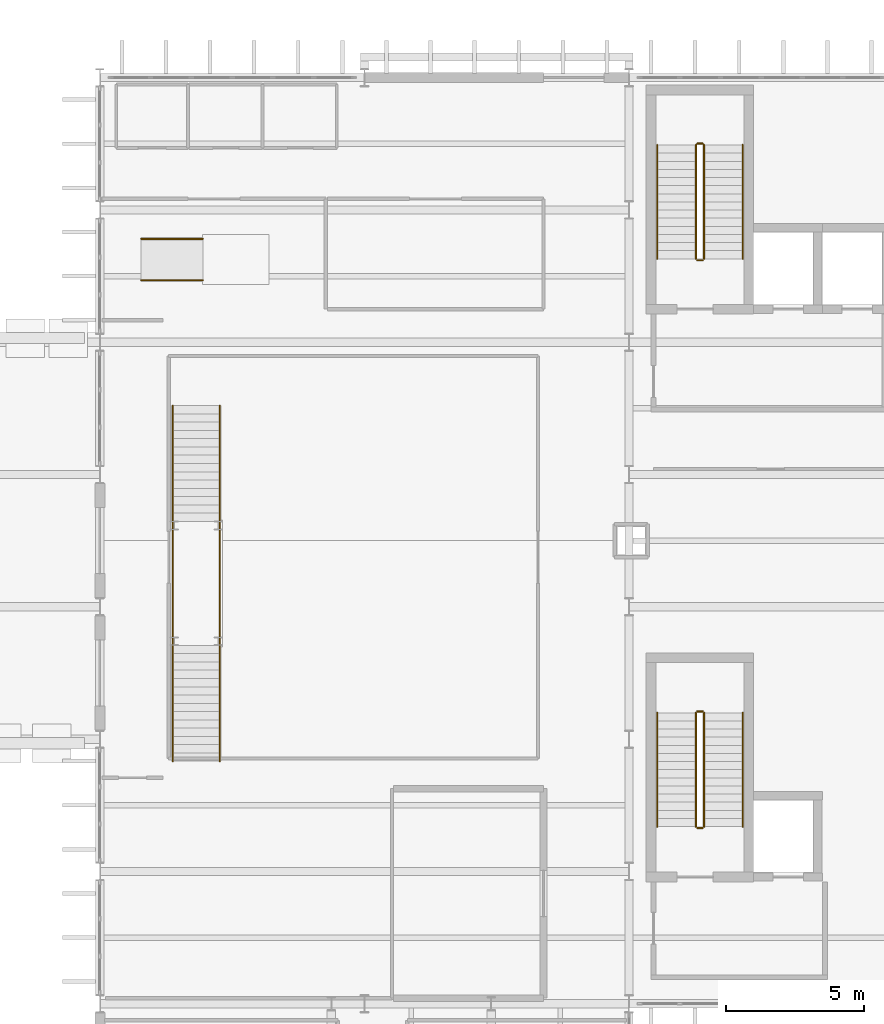
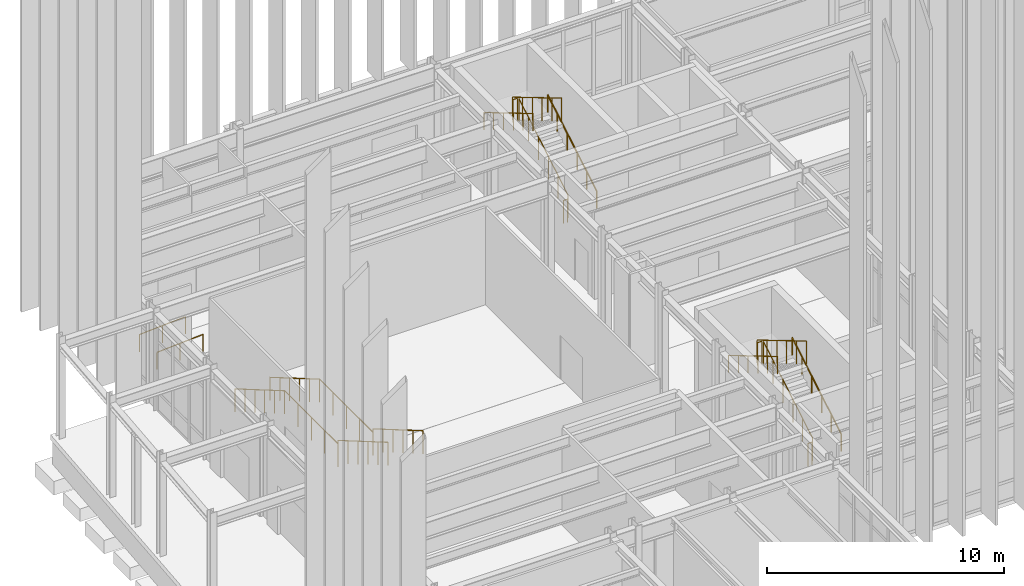
# One storey, part 104 of 109: 20 railings.
"""IFC4 building model written with IfcOpenShell, lengths in metres."""

from ifc_helpers import new_model, si_unit, direction, frame, origin, origin_2d, place, context, subcontext, project, spatial, circle, extrude, material, layer, layer_set, type_object, element, save


model = new_model("IFC4")

# Units and contexts
model_context = context("Model", 3, precision=1e-05, world=origin(), true_north=direction((0.0, 1.0)))
body_context = subcontext(model_context, "Body", "Model", "MODEL_VIEW")
ifc_project = project(units=[si_unit("LENGTHUNIT", "METRE"), si_unit("AREAUNIT", "SQUARE_METRE"), si_unit("VOLUMEUNIT", "CUBIC_METRE"), si_unit("PLANEANGLEUNIT", "RADIAN"), si_unit("MASSUNIT", "GRAM", prefix="KILO")], contexts=[model_context])

# Site, building, storey
site_placement = place(None, origin())
site = spatial("IfcSite", under=ifc_project, at=site_placement, CompositionType="ELEMENT")
building_placement = place(site_placement, origin())
building = spatial("IfcBuilding", under=site, at=building_placement, Name="Nordkorset Police Headquarters", CompositionType="ELEMENT")
storey_placement = place(building_placement, origin())
storey = spatial("IfcBuildingStorey", under=building, at=storey_placement, Name="L00", CompositionType="ELEMENT", Elevation=0.0)

# Railings
ifc_material_1 = material(Name="Steel S355J2", Category="steel")
ifc_layer_1 = layer(ifc_material_1, 0.048095703125, Name="Steel S355J2")
ifc_layer_set_1 = layer_set([ifc_layer_1], Name="Steel S355J2")
railing_type_1 = type_object("IfcRailingType", Name="Railing_Handrail_900", PredefinedType="HANDRAIL", material=ifc_layer_set_1)
railing_1_placement = place(storey_placement, frame((23.324951171875, 110.22509765625, 0.175048828125)))
element("IfcRailing", 1, at=railing_1_placement, inside=storey, type_object=railing_type_1, Name="L00 ST-01 stair handrail 1", PredefinedType="HANDRAIL", context=body_context, shape_type="SweptSolid", body=[
    extrude(circle(Radius=0.02392578125, at=origin_2d()), frame((0.0, 0.0, 0.8759765625), z_axis=(0.0, 0.860052763207, 0.510205100425), x_axis=(-1.0, 0.0, 0.0)), (0.0, 0.0, 1.0), 4.802001953125),
    extrude(circle(Radius=0.02099609375, at=origin_2d()), origin(), (0.0, 0.0, 1.0), 0.851806640625),
    extrude(circle(Radius=0.02099609375, at=origin_2d()), frame((0.0, 0.825927734375, 0.489990234375)), (0.0, 0.0, 1.0), 0.851806640625),
    extrude(circle(Radius=0.02099609375, at=origin_2d()), frame((0.0, 1.65185546875, 0.97998046875)), (0.0, 0.0, 1.0), 0.851806640625),
    extrude(circle(Radius=0.02099609375, at=origin_2d()), frame((0.0, 2.47802734375, 1.469970703125)), (0.0, 0.0, 1.0), 0.851806640625),
    extrude(circle(Radius=0.02099609375, at=origin_2d()), frame((0.0, 3.303955078125, 1.9599609375)), (0.0, 0.0, 1.0), 0.851806640625),
    extrude(circle(Radius=0.02099609375, at=origin_2d()), frame((0.0, 4.1298828125, 2.449951171875)), (0.0, 0.0, 1.0), 0.851806640625),
])
railing_2_placement = place(storey_placement, frame((20.22509765625, 114.35498046875, 2.800048828125)))
element("IfcRailing", 2, at=railing_2_placement, inside=storey, type_object=railing_type_1, Name="L00 ST-01 stair handrail 2", PredefinedType="HANDRAIL", context=body_context, shape_type="SweptSolid", body=[
    extrude(circle(Radius=0.02392578125, at=origin_2d()), frame((0.0, 0.0, 0.8759765625), z_axis=(0.0, -0.860052763207, 0.510205100425), x_axis=(1.0, 0.0, 0.0)), (0.0, 0.0, 1.0), 4.802001953125),
    extrude(circle(Radius=0.02099609375, at=origin_2d()), origin(), (0.0, 0.0, 1.0), 0.851806640625),
    extrude(circle(Radius=0.02099609375, at=origin_2d()), frame((0.0, -0.825927734375, 0.489990234375)), (0.0, 0.0, 1.0), 0.851806640625),
    extrude(circle(Radius=0.02099609375, at=origin_2d()), frame((0.0, -1.65185546875, 0.97998046875)), (0.0, 0.0, 1.0), 0.851806640625),
    extrude(circle(Radius=0.02099609375, at=origin_2d()), frame((0.0, -2.47802734375, 1.469970703125)), (0.0, 0.0, 1.0), 0.851806640625),
    extrude(circle(Radius=0.02099609375, at=origin_2d()), frame((0.0, -3.303955078125, 1.9599609375)), (0.0, 0.0, 1.0), 0.851806640625),
    extrude(circle(Radius=0.02099609375, at=origin_2d()), frame((0.0, -4.1298828125, 2.449951171875)), (0.0, 0.0, 1.0), 0.851806640625),
])
railing_3_placement = place(storey_placement, frame((23.324951171875, 89.625, 0.175048828125)))
element("IfcRailing", 3, at=railing_3_placement, inside=storey, type_object=railing_type_1, Name="L00 ST-03 stair handrail 1", PredefinedType="HANDRAIL", context=body_context, shape_type="SweptSolid", body=[
    extrude(circle(Radius=0.02392578125, at=origin_2d()), frame((0.0, 0.0, 0.8759765625), z_axis=(0.0, 0.860052763207, 0.510205100425), x_axis=(-1.0, 0.0, 0.0)), (0.0, 0.0, 1.0), 4.802001953125),
    extrude(circle(Radius=0.02099609375, at=origin_2d()), origin(), (0.0, 0.0, 1.0), 0.851806640625),
    extrude(circle(Radius=0.02099609375, at=origin_2d()), frame((0.0, 0.825927734375, 0.489990234375)), (0.0, 0.0, 1.0), 0.851806640625),
    extrude(circle(Radius=0.02099609375, at=origin_2d()), frame((0.0, 1.65185546875, 0.97998046875)), (0.0, 0.0, 1.0), 0.851806640625),
    extrude(circle(Radius=0.02099609375, at=origin_2d()), frame((0.0, 2.47802734375, 1.469970703125)), (0.0, 0.0, 1.0), 0.851806640625),
    extrude(circle(Radius=0.02099609375, at=origin_2d()), frame((0.0, 3.303955078125, 1.9599609375)), (0.0, 0.0, 1.0), 0.851806640625),
    extrude(circle(Radius=0.02099609375, at=origin_2d()), frame((0.0, 4.1298828125, 2.449951171875)), (0.0, 0.0, 1.0), 0.851806640625),
])
railing_4_placement = place(storey_placement, frame((20.22509765625, 93.7548828125, 2.800048828125)))
element("IfcRailing", 4, at=railing_4_placement, inside=storey, type_object=railing_type_1, Name="L00 ST-03 stair handrail 2", PredefinedType="HANDRAIL", context=body_context, shape_type="SweptSolid", body=[
    extrude(circle(Radius=0.02392578125, at=origin_2d()), frame((0.0, 0.0, 0.8759765625), z_axis=(0.0, -0.860052763207, 0.510205100425), x_axis=(1.0, 0.0, 0.0)), (0.0, 0.0, 1.0), 4.802001953125),
    extrude(circle(Radius=0.02099609375, at=origin_2d()), origin(), (0.0, 0.0, 1.0), 0.851806640625),
    extrude(circle(Radius=0.02099609375, at=origin_2d()), frame((0.0, -0.825927734375, 0.489990234375)), (0.0, 0.0, 1.0), 0.851806640625),
    extrude(circle(Radius=0.02099609375, at=origin_2d()), frame((0.0, -1.65185546875, 0.97998046875)), (0.0, 0.0, 1.0), 0.851806640625),
    extrude(circle(Radius=0.02099609375, at=origin_2d()), frame((0.0, -2.47802734375, 1.469970703125)), (0.0, 0.0, 1.0), 0.851806640625),
    extrude(circle(Radius=0.02099609375, at=origin_2d()), frame((0.0, -3.303955078125, 1.9599609375)), (0.0, 0.0, 1.0), 0.851806640625),
    extrude(circle(Radius=0.02099609375, at=origin_2d()), frame((0.0, -4.1298828125, 2.449951171875)), (0.0, 0.0, 1.0), 0.851806640625),
])
for number, where, name in (
    (5, (1.5, 109.449951171875, 0.0), "Press Hall Speaker Dais Ramp Handrail S"),
    (6, (1.5, 110.949951171875, 0.0), "Press Hall Speaker Dais Ramp Handrail N"),
):
    element("IfcRailing", number, at=place(storey_placement, frame(where)), inside=storey, type_object=railing_type_1, Name=name, PredefinedType="HANDRAIL", context=body_context, shape_type="SweptSolid", body=[
        extrude(circle(Radius=0.02392578125, at=origin_2d()), frame((0.0, 0.0, 0.8759765625), z_axis=(0.998055540234, 0.0, 0.06233088006), x_axis=(0.0, 1.0, 0.0)), (0.0, 0.0, 1.0), 2.244384765625),
        extrude(circle(Radius=0.02099609375, at=origin_2d()), origin(), (0.0, 0.0, 1.0), 0.851806640625),
        extrude(circle(Radius=0.02099609375, at=origin_2d()), frame((1.1201171875, 0.0, 0.06982421875)), (0.0, 0.0, 1.0), 0.851806640625),
        extrude(circle(Radius=0.02099609375, at=origin_2d()), frame((2.239990234375, 0.0, 0.139892578125)), (0.0, 0.0, 1.0), 0.851806640625),
    ])
ifc_material_2 = material(Name="Steel S355J2", Category="steel")
ifc_layer_2 = layer(ifc_material_2, 0.050048828125, Name="Steel S355J2")
ifc_layer_set_2 = layer_set([ifc_layer_2], Name="Steel S355J2")
railing_type_2 = type_object("IfcRailingType", Name="Railing_StairGuard_1200", PredefinedType="GUARDRAIL", material=ifc_layer_set_2)
railing_5_placement = place(storey_placement, frame((21.925048828125, 110.22509765625, 0.175048828125)))
element("IfcRailing", 7, at=railing_5_placement, inside=storey, type_object=railing_type_2, Name="L00 ST-01 stair guard 1", PredefinedType="GUARDRAIL", context=body_context, shape_type="SweptSolid", body=[
    extrude(circle(Radius=0.02392578125, at=origin_2d()), frame((0.0, 0.0, 1.17578125), z_axis=(0.0, 0.860052763207, 0.510205100425), x_axis=(-1.0, 0.0, 0.0)), (0.0, 0.0, 1.0), 4.802001953125),
    extrude(circle(Radius=0.02099609375, at=origin_2d()), origin(), (0.0, 0.0, 1.0), 1.15185546875),
    extrude(circle(Radius=0.02099609375, at=origin_2d()), frame((0.0, 0.825927734375, 0.489990234375)), (0.0, 0.0, 1.0), 1.15185546875),
    extrude(circle(Radius=0.02099609375, at=origin_2d()), frame((0.0, 1.65185546875, 0.97998046875)), (0.0, 0.0, 1.0), 1.15185546875),
    extrude(circle(Radius=0.02099609375, at=origin_2d()), frame((0.0, 2.47802734375, 1.469970703125)), (0.0, 0.0, 1.0), 1.15185546875),
    extrude(circle(Radius=0.02099609375, at=origin_2d()), frame((0.0, 3.303955078125, 1.9599609375)), (0.0, 0.0, 1.0), 1.15185546875),
    extrude(circle(Radius=0.02099609375, at=origin_2d()), frame((0.0, 4.1298828125, 2.449951171875)), (0.0, 0.0, 1.0), 1.15185546875),
])
railing_6_placement = place(storey_placement, frame((21.875, 114.405029296875, 2.625)))
element("IfcRailing", 8, at=railing_6_placement, inside=storey, type_object=railing_type_2, Name="L00 ST-01 stair guard 2", PredefinedType="GUARDRAIL", context=body_context, shape_type="SweptSolid", body=[
    extrude(circle(Radius=0.02392578125, at=origin_2d()), frame((0.0, 0.0, 1.17578125), z_axis=(-1.0, 0.0, 0.0), x_axis=(0.0, -1.0, 0.0)), (0.0, 0.0, 1.0), 0.199951171875),
    extrude(circle(Radius=0.02099609375, at=origin_2d()), origin(), (0.0, 0.0, 1.0), 1.15185546875),
    extrude(circle(Radius=0.02099609375, at=origin_2d()), frame((-0.199951171875, 0.0, 0.0)), (0.0, 0.0, 1.0), 1.15185546875),
])
railing_7_placement = place(storey_placement, frame((21.625, 114.35498046875, 2.800048828125)))
element("IfcRailing", 9, at=railing_7_placement, inside=storey, type_object=railing_type_2, Name="L00 ST-01 stair guard 3", PredefinedType="GUARDRAIL", context=body_context, shape_type="SweptSolid", body=[
    extrude(circle(Radius=0.02392578125, at=origin_2d()), frame((0.0, 0.0, 1.17578125), z_axis=(0.0, -0.860052763207, 0.510205100425), x_axis=(1.0, 0.0, 0.0)), (0.0, 0.0, 1.0), 4.802001953125),
    extrude(circle(Radius=0.02099609375, at=origin_2d()), origin(), (0.0, 0.0, 1.0), 1.15185546875),
    extrude(circle(Radius=0.02099609375, at=origin_2d()), frame((0.0, -0.825927734375, 0.489990234375)), (0.0, 0.0, 1.0), 1.15185546875),
    extrude(circle(Radius=0.02099609375, at=origin_2d()), frame((0.0, -1.65185546875, 0.97998046875)), (0.0, 0.0, 1.0), 1.15185546875),
    extrude(circle(Radius=0.02099609375, at=origin_2d()), frame((0.0, -2.47802734375, 1.469970703125)), (0.0, 0.0, 1.0), 1.15185546875),
    extrude(circle(Radius=0.02099609375, at=origin_2d()), frame((0.0, -3.303955078125, 1.9599609375)), (0.0, 0.0, 1.0), 1.15185546875),
    extrude(circle(Radius=0.02099609375, at=origin_2d()), frame((0.0, -4.1298828125, 2.449951171875)), (0.0, 0.0, 1.0), 1.15185546875),
])
railing_8_placement = place(storey_placement, frame((21.875, 110.175048828125, 0.0)))
element("IfcRailing", 10, at=railing_8_placement, inside=storey, type_object=railing_type_2, Name="L00 ST-01 stair guard 4", PredefinedType="GUARDRAIL", context=body_context, shape_type="SweptSolid", body=[
    extrude(circle(Radius=0.02392578125, at=origin_2d()), frame((0.0, 0.0, 1.17578125), z_axis=(-1.0, 0.0, 0.0), x_axis=(0.0, -1.0, 0.0)), (0.0, 0.0, 1.0), 0.199951171875),
    extrude(circle(Radius=0.02099609375, at=origin_2d()), origin(), (0.0, 0.0, 1.0), 1.15185546875),
    extrude(circle(Radius=0.02099609375, at=origin_2d()), frame((-0.199951171875, 0.0, 0.0)), (0.0, 0.0, 1.0), 1.15185546875),
])
railing_9_placement = place(storey_placement, frame((21.925048828125, 89.625, 0.175048828125)))
element("IfcRailing", 11, at=railing_9_placement, inside=storey, type_object=railing_type_2, Name="L00 ST-03 stair guard 1", PredefinedType="GUARDRAIL", context=body_context, shape_type="SweptSolid", body=[
    extrude(circle(Radius=0.02392578125, at=origin_2d()), frame((0.0, 0.0, 1.17578125), z_axis=(0.0, 0.860052763207, 0.510205100425), x_axis=(-1.0, 0.0, 0.0)), (0.0, 0.0, 1.0), 4.802001953125),
    extrude(circle(Radius=0.02099609375, at=origin_2d()), origin(), (0.0, 0.0, 1.0), 1.15185546875),
    extrude(circle(Radius=0.02099609375, at=origin_2d()), frame((0.0, 0.825927734375, 0.489990234375)), (0.0, 0.0, 1.0), 1.15185546875),
    extrude(circle(Radius=0.02099609375, at=origin_2d()), frame((0.0, 1.65185546875, 0.97998046875)), (0.0, 0.0, 1.0), 1.15185546875),
    extrude(circle(Radius=0.02099609375, at=origin_2d()), frame((0.0, 2.47802734375, 1.469970703125)), (0.0, 0.0, 1.0), 1.15185546875),
    extrude(circle(Radius=0.02099609375, at=origin_2d()), frame((0.0, 3.303955078125, 1.9599609375)), (0.0, 0.0, 1.0), 1.15185546875),
    extrude(circle(Radius=0.02099609375, at=origin_2d()), frame((0.0, 4.1298828125, 2.449951171875)), (0.0, 0.0, 1.0), 1.15185546875),
])
railing_10_placement = place(storey_placement, frame((21.875, 93.804931640625, 2.625)))
element("IfcRailing", 12, at=railing_10_placement, inside=storey, type_object=railing_type_2, Name="L00 ST-03 stair guard 2", PredefinedType="GUARDRAIL", context=body_context, shape_type="SweptSolid", body=[
    extrude(circle(Radius=0.02392578125, at=origin_2d()), frame((0.0, 0.0, 1.17578125), z_axis=(-1.0, 0.0, 0.0), x_axis=(0.0, -1.0, 0.0)), (0.0, 0.0, 1.0), 0.199951171875),
    extrude(circle(Radius=0.02099609375, at=origin_2d()), origin(), (0.0, 0.0, 1.0), 1.15185546875),
    extrude(circle(Radius=0.02099609375, at=origin_2d()), frame((-0.199951171875, 0.0, 0.0)), (0.0, 0.0, 1.0), 1.15185546875),
])
railing_11_placement = place(storey_placement, frame((21.625, 93.7548828125, 2.800048828125)))
element("IfcRailing", 13, at=railing_11_placement, inside=storey, type_object=railing_type_2, Name="L00 ST-03 stair guard 3", PredefinedType="GUARDRAIL", context=body_context, shape_type="SweptSolid", body=[
    extrude(circle(Radius=0.02392578125, at=origin_2d()), frame((0.0, 0.0, 1.17578125), z_axis=(0.0, -0.860052763207, 0.510205100425), x_axis=(1.0, 0.0, 0.0)), (0.0, 0.0, 1.0), 4.802001953125),
    extrude(circle(Radius=0.02099609375, at=origin_2d()), origin(), (0.0, 0.0, 1.0), 1.15185546875),
    extrude(circle(Radius=0.02099609375, at=origin_2d()), frame((0.0, -0.825927734375, 0.489990234375)), (0.0, 0.0, 1.0), 1.15185546875),
    extrude(circle(Radius=0.02099609375, at=origin_2d()), frame((0.0, -1.65185546875, 0.97998046875)), (0.0, 0.0, 1.0), 1.15185546875),
    extrude(circle(Radius=0.02099609375, at=origin_2d()), frame((0.0, -2.47802734375, 1.469970703125)), (0.0, 0.0, 1.0), 1.15185546875),
    extrude(circle(Radius=0.02099609375, at=origin_2d()), frame((0.0, -3.303955078125, 1.9599609375)), (0.0, 0.0, 1.0), 1.15185546875),
    extrude(circle(Radius=0.02099609375, at=origin_2d()), frame((0.0, -4.1298828125, 2.449951171875)), (0.0, 0.0, 1.0), 1.15185546875),
])
railing_12_placement = place(storey_placement, frame((21.875, 89.574951171875, 0.0)))
element("IfcRailing", 14, at=railing_12_placement, inside=storey, type_object=railing_type_2, Name="L00 ST-03 stair guard 4", PredefinedType="GUARDRAIL", context=body_context, shape_type="SweptSolid", body=[
    extrude(circle(Radius=0.02392578125, at=origin_2d()), frame((0.0, 0.0, 1.17578125), z_axis=(-1.0, 0.0, 0.0), x_axis=(0.0, -1.0, 0.0)), (0.0, 0.0, 1.0), 0.199951171875),
    extrude(circle(Radius=0.02099609375, at=origin_2d()), origin(), (0.0, 0.0, 1.0), 1.15185546875),
    extrude(circle(Radius=0.02099609375, at=origin_2d()), frame((-0.199951171875, 0.0, 0.0)), (0.0, 0.0, 1.0), 1.15185546875),
])
railing_13_placement = place(storey_placement, frame((2.64990234375, 104.89990234375, 0.175048828125)))
element("IfcRailing", 15, at=railing_13_placement, inside=storey, type_object=railing_type_2, Name="Civic Stair ST-07 Lower Flight Guard W", PredefinedType="GUARDRAIL", context=body_context, shape_type="SweptSolid", body=[
    extrude(circle(Radius=0.02392578125, at=origin_2d()), frame((0.0, 0.0, 1.17578125), z_axis=(0.0, -0.863780722019, 0.50386790359), x_axis=(1.0, 0.0, 0.0)), (0.0, 0.0, 1.0), 4.8623046875),
    extrude(circle(Radius=0.02099609375, at=origin_2d()), origin(), (0.0, 0.0, 1.0), 1.15185546875),
    extrude(circle(Radius=0.02099609375, at=origin_2d()), frame((0.0, -0.840087890625, 0.489990234375)), (0.0, 0.0, 1.0), 1.15185546875),
    extrude(circle(Radius=0.02099609375, at=origin_2d()), frame((0.0, -1.679931640625, 0.97998046875)), (0.0, 0.0, 1.0), 1.15185546875),
    extrude(circle(Radius=0.02099609375, at=origin_2d()), frame((0.0, -2.52001953125, 1.469970703125)), (0.0, 0.0, 1.0), 1.15185546875),
    extrude(circle(Radius=0.02099609375, at=origin_2d()), frame((0.0, -3.35986328125, 1.9599609375)), (0.0, 0.0, 1.0), 1.15185546875),
    extrude(circle(Radius=0.02099609375, at=origin_2d()), frame((0.0, -4.199951171875, 2.449951171875)), (0.0, 0.0, 1.0), 1.15185546875),
])
railing_14_placement = place(storey_placement, frame((2.64990234375, 100.699951171875, 2.625)))
element("IfcRailing", 16, at=railing_14_placement, inside=storey, type_object=railing_type_2, Name="Civic Stair ST-07 Landing Guard W", PredefinedType="GUARDRAIL", context=body_context, shape_type="SweptSolid", body=[
    extrude(circle(Radius=0.02392578125, at=origin_2d()), frame((0.0, 0.0, 1.17578125), z_axis=(0.0, -1.0, 0.0), x_axis=(1.0, 0.0, 0.0)), (0.0, 0.0, 1.0), 4.5),
    extrude(circle(Radius=0.02099609375, at=origin_2d()), origin(), (0.0, 0.0, 1.0), 1.15185546875),
    extrude(circle(Radius=0.02099609375, at=origin_2d()), frame((0.0, -1.125, 0.0)), (0.0, 0.0, 1.0), 1.15185546875),
    extrude(circle(Radius=0.02099609375, at=origin_2d()), frame((0.0, -2.25, 0.0)), (0.0, 0.0, 1.0), 1.15185546875),
    extrude(circle(Radius=0.02099609375, at=origin_2d()), frame((0.0, -3.375, 0.0)), (0.0, 0.0, 1.0), 1.15185546875),
    extrude(circle(Radius=0.02099609375, at=origin_2d()), frame((0.0, -4.5, 0.0)), (0.0, 0.0, 1.0), 1.15185546875),
])
for number, where, name in (
    (17, (2.64990234375, 96.199951171875, 2.800048828125), "Civic Stair ST-07 Upper Flight Guard W"),
    (18, (4.35009765625, 104.89990234375, 0.175048828125), "Civic Stair ST-07 Lower Flight Guard E"),
):
    element("IfcRailing", number, at=place(storey_placement, frame(where)), inside=storey, type_object=railing_type_2, Name=name, PredefinedType="GUARDRAIL", context=body_context, shape_type="SweptSolid", body=[
        extrude(circle(Radius=0.02392578125, at=origin_2d()), frame((0.0, 0.0, 1.17578125), z_axis=(0.0, -0.863780722019, 0.50386790359), x_axis=(1.0, 0.0, 0.0)), (0.0, 0.0, 1.0), 4.8623046875),
        extrude(circle(Radius=0.02099609375, at=origin_2d()), origin(), (0.0, 0.0, 1.0), 1.15185546875),
        extrude(circle(Radius=0.02099609375, at=origin_2d()), frame((0.0, -0.840087890625, 0.489990234375)), (0.0, 0.0, 1.0), 1.15185546875),
        extrude(circle(Radius=0.02099609375, at=origin_2d()), frame((0.0, -1.679931640625, 0.97998046875)), (0.0, 0.0, 1.0), 1.15185546875),
        extrude(circle(Radius=0.02099609375, at=origin_2d()), frame((0.0, -2.52001953125, 1.469970703125)), (0.0, 0.0, 1.0), 1.15185546875),
        extrude(circle(Radius=0.02099609375, at=origin_2d()), frame((0.0, -3.35986328125, 1.9599609375)), (0.0, 0.0, 1.0), 1.15185546875),
        extrude(circle(Radius=0.02099609375, at=origin_2d()), frame((0.0, -4.199951171875, 2.449951171875)), (0.0, 0.0, 1.0), 1.15185546875),
    ])
railing_15_placement = place(storey_placement, frame((4.35009765625, 100.699951171875, 2.625)))
element("IfcRailing", 19, at=railing_15_placement, inside=storey, type_object=railing_type_2, Name="Civic Stair ST-07 Landing Guard E", PredefinedType="GUARDRAIL", context=body_context, shape_type="SweptSolid", body=[
    extrude(circle(Radius=0.02392578125, at=origin_2d()), frame((0.0, 0.0, 1.17578125), z_axis=(0.0, -1.0, 0.0), x_axis=(1.0, 0.0, 0.0)), (0.0, 0.0, 1.0), 4.5),
    extrude(circle(Radius=0.02099609375, at=origin_2d()), origin(), (0.0, 0.0, 1.0), 1.15185546875),
    extrude(circle(Radius=0.02099609375, at=origin_2d()), frame((0.0, -1.125, 0.0)), (0.0, 0.0, 1.0), 1.15185546875),
    extrude(circle(Radius=0.02099609375, at=origin_2d()), frame((0.0, -2.25, 0.0)), (0.0, 0.0, 1.0), 1.15185546875),
    extrude(circle(Radius=0.02099609375, at=origin_2d()), frame((0.0, -3.375, 0.0)), (0.0, 0.0, 1.0), 1.15185546875),
    extrude(circle(Radius=0.02099609375, at=origin_2d()), frame((0.0, -4.5, 0.0)), (0.0, 0.0, 1.0), 1.15185546875),
])
railing_16_placement = place(storey_placement, frame((4.35009765625, 96.199951171875, 2.800048828125)))
element("IfcRailing", 20, at=railing_16_placement, inside=storey, type_object=railing_type_2, Name="Civic Stair ST-07 Upper Flight Guard E", PredefinedType="GUARDRAIL", context=body_context, shape_type="SweptSolid", body=[
    extrude(circle(Radius=0.02392578125, at=origin_2d()), frame((0.0, 0.0, 1.17578125), z_axis=(0.0, -0.863780722019, 0.50386790359), x_axis=(1.0, 0.0, 0.0)), (0.0, 0.0, 1.0), 4.8623046875),
    extrude(circle(Radius=0.02099609375, at=origin_2d()), origin(), (0.0, 0.0, 1.0), 1.15185546875),
    extrude(circle(Radius=0.02099609375, at=origin_2d()), frame((0.0, -0.840087890625, 0.489990234375)), (0.0, 0.0, 1.0), 1.15185546875),
    extrude(circle(Radius=0.02099609375, at=origin_2d()), frame((0.0, -1.679931640625, 0.97998046875)), (0.0, 0.0, 1.0), 1.15185546875),
    extrude(circle(Radius=0.02099609375, at=origin_2d()), frame((0.0, -2.52001953125, 1.469970703125)), (0.0, 0.0, 1.0), 1.15185546875),
    extrude(circle(Radius=0.02099609375, at=origin_2d()), frame((0.0, -3.35986328125, 1.9599609375)), (0.0, 0.0, 1.0), 1.15185546875),
    extrude(circle(Radius=0.02099609375, at=origin_2d()), frame((0.0, -4.199951171875, 2.449951171875)), (0.0, 0.0, 1.0), 1.15185546875),
])

save(model, "model.ifc")
